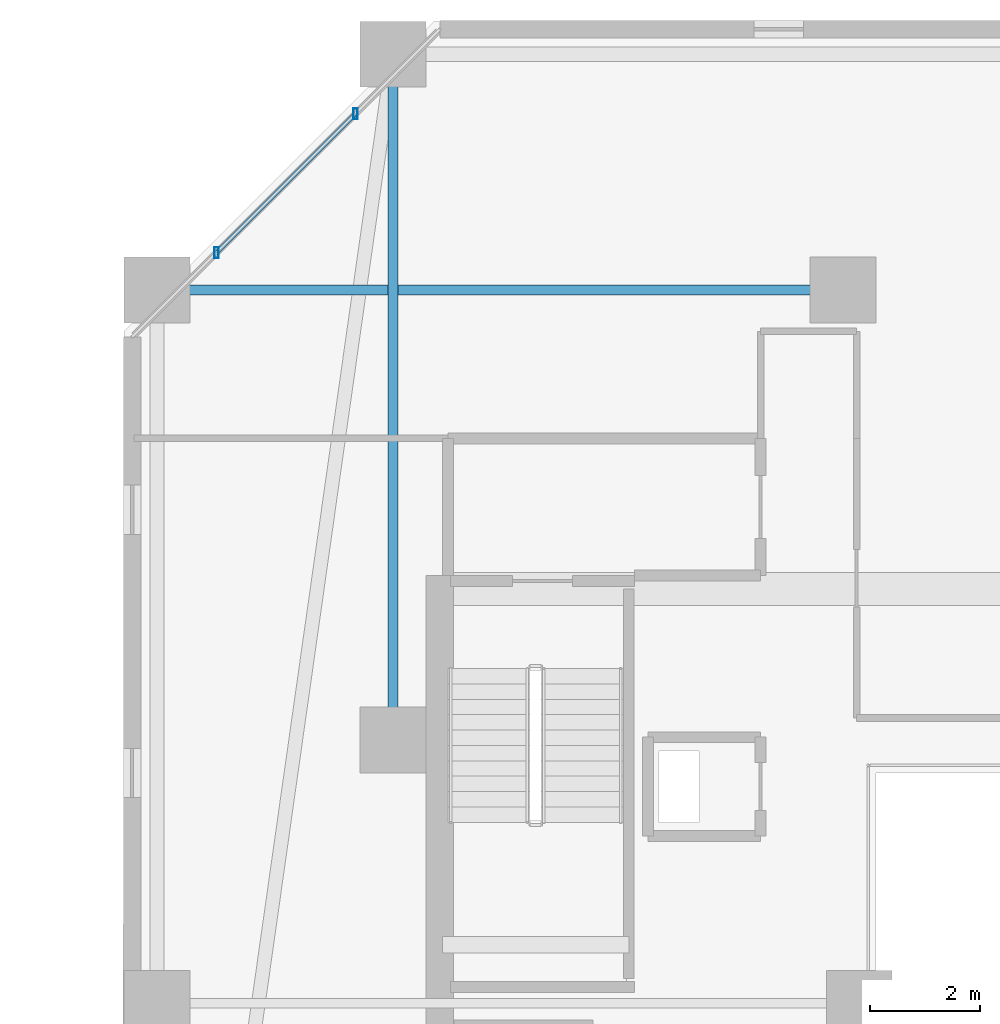
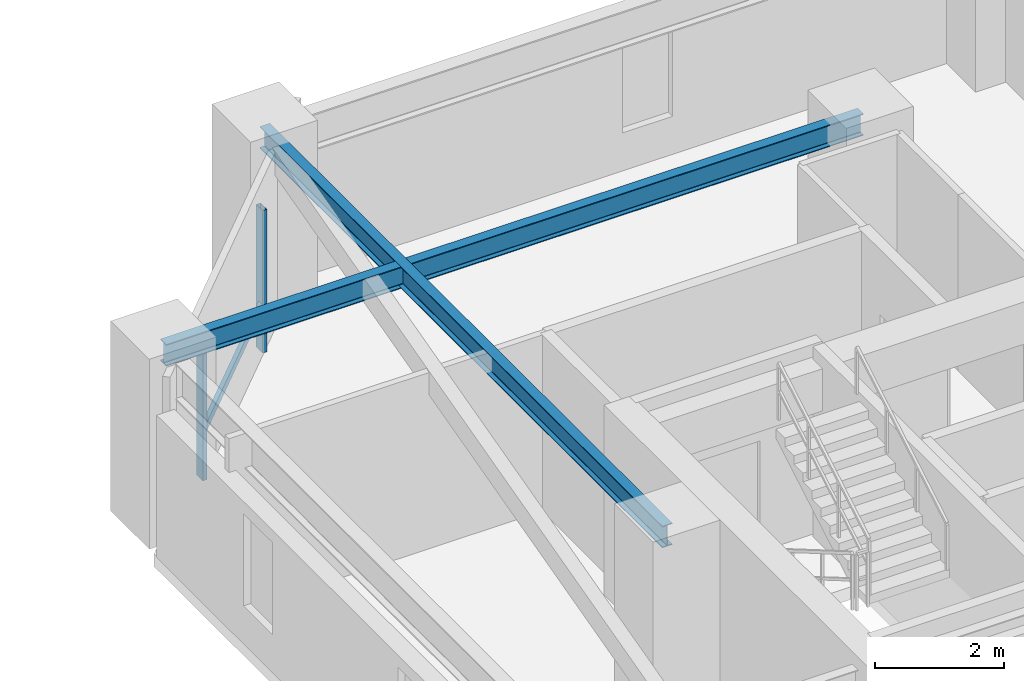
# One storey, part 14 of 31: 3 members, 2 beams, 1 element without a shape of its own.
"""IFC4 building model written with IfcOpenShell, lengths in metres."""

from ifc_helpers import new_model, si_unit, direction, frame, origin, origin_2d, place, context, subcontext, project, spatial, hollow_rectangle, i_section, extrude, material, material_profile, profile_set, type_object, element, aggregate, save


model = new_model("IFC4")

# Units and contexts
model_context = context("Model", 3, precision=1e-05, world=origin(), true_north=direction((0.0, 1.0)))
body_context = subcontext(model_context, "Body", "Model", "MODEL_VIEW")
ifc_project = project(units=[si_unit("LENGTHUNIT", "METRE"), si_unit("AREAUNIT", "SQUARE_METRE"), si_unit("VOLUMEUNIT", "CUBIC_METRE"), si_unit("PLANEANGLEUNIT", "RADIAN"), si_unit("MASSUNIT", "GRAM", prefix="KILO")], contexts=[model_context])

# Site, building, storey
site_placement = place(None, origin())
site = spatial("IfcSite", under=ifc_project, at=site_placement, CompositionType="ELEMENT")
building_placement = place(site_placement, origin())
building = spatial("IfcBuilding", under=site, at=building_placement, Name="Thornwick Lancets Civic Towers", CompositionType="ELEMENT")
storey_placement = place(building_placement, frame((0.0, 0.0, 126.89990234375)))
storey = spatial("IfcBuildingStorey", under=building, at=storey_placement, Name="L33", CompositionType="ELEMENT", Elevation=126.89990234375)

# Beams
ifc_material_1 = material(Name="Steel S355JR", Category="steel")
ifc_material_profile_1 = material_profile(ifc_material_1, i_section(OverallWidth=0.179443359375, OverallDepth=0.412841796875, WebThickness=0.009521484375, FlangeThickness=0.01611328125, FilletRadius=0.01025390625, at=origin_2d()), Name="UKB 406x178x74")
ifc_profile_set_1 = profile_set([ifc_material_profile_1], Name="Steel S355JR")
beam_type = type_object("IfcBeamType", Name="BM_JOIST_406_74", PredefinedType="JOIST", material=ifc_profile_set_1)
for number, where, z_axis, x_axis, name in (
    (1, (75.5, 31.800048828125, 3.15380859375), (0.0, 1.0, 0.0), (-1.0, 0.0, 0.0), "BM-RADIN-L33-B06"),
    (2, (83.699951171875, 40.0, 3.15380859375), (-1.0, 0.0, 0.0), (0.0, -1.0, 0.0), "BM-RADIN-L33-B09"),
):
    element("IfcBeam", number, at=place(storey_placement, frame(where, z_axis=z_axis, x_axis=x_axis)), inside=storey, type_object=beam_type, Name=name, PredefinedType="JOIST", context=body_context, shape_type="SweptSolid", body=[
        extrude(i_section(OverallWidth=0.179443359375, OverallDepth=0.412841796875, WebThickness=0.009521484375, FlangeThickness=0.01611328125, FilletRadius=0.01025390625, at=origin_2d()), origin(), (0.0, 0.0, 1.0), 12.5),
    ])

# Curtain wall, members
ifc_material_2 = material(Name="Mid-zone chamfered-corner unitised glass curtain wall", Category="glass")
curtain_wall_type = type_object("IfcCurtainWallType", Name="CW_SYS_04", PredefinedType="NOTDEFINED", material=ifc_material_2)
curtain_wall_placement = place(storey_placement, origin())
curtain_wall = element("IfcCurtainWall", 3, at=curtain_wall_placement, inside=storey, type_object=curtain_wall_type, Name="L33 Curtain Wall CW-L33-B-E5", PredefinedType="NOTDEFINED")
ifc_material_3 = material(Name="Thermally broken bronze aluminium S355", Category="steel")
ifc_material_profile_2 = material_profile(ifc_material_3, hollow_rectangle(XDim=0.080078125, YDim=0.199951171875, WallThickness=0.006103515625, at=origin_2d()), Name="RHS 200x80x6")
ifc_profile_set_2 = profile_set([ifc_material_profile_2], Name="Thermally broken bronze aluminium S355")
member_type_1 = type_object("IfcMemberType", Name="CW_MUL_200", PredefinedType="MULLION", material=ifc_profile_set_2)
member_1_placement = place(storey_placement, frame((74.81494140625, 43.21728515625, 0.0), z_axis=(0.0, 0.0, 1.0), x_axis=(1.0, 0.0, 0.0)))
member_1 = element("IfcMember", 4, at=member_1_placement, type_object=member_type_1, Name="CW-L33-B-E5 Mullion 0", PredefinedType="MULLION", context=body_context, shape_type="SweptSolid", body=[
    extrude(hollow_rectangle(XDim=0.080078125, YDim=0.199951171875, WallThickness=0.006103515625, at=origin_2d()), origin(), (0.0, 0.0, 1.0), 2.7001953125),
])
member_2_placement = place(storey_placement, frame((72.28271484375, 40.68505859375, 0.0), z_axis=(0.0, 0.0, 1.0), x_axis=(1.0, 0.0, 0.0)))
member_2 = element("IfcMember", 5, at=member_2_placement, type_object=member_type_1, Name="CW-L33-B-E5 Mullion 1", PredefinedType="MULLION", context=body_context, shape_type="SweptSolid", body=[
    extrude(hollow_rectangle(XDim=0.080078125, YDim=0.199951171875, WallThickness=0.006103515625, at=origin_2d()), origin(), (0.0, 0.0, 1.0), 2.7001953125),
])
ifc_material_profile_3 = material_profile(ifc_material_3, hollow_rectangle(XDim=0.074951171875, YDim=0.14990234375, WallThickness=0.0048828125, at=origin_2d()), Name="RHS 150x75x5")
ifc_profile_set_3 = profile_set([ifc_material_profile_3], Name="Thermally broken bronze aluminium S355")
member_type_2 = type_object("IfcMemberType", Name="CW_TRN_150", PredefinedType="USERDEFINED", material=ifc_profile_set_3)
member_3_placement = place(storey_placement, frame((74.80078125, 43.203125, 0.85009765625), z_axis=(-0.707106781187, -0.707106781187, 0.0), x_axis=(0.707106781187, -0.707106781187, 0.0)))
member_3 = element("IfcMember", 6, at=member_3_placement, type_object=member_type_2, Name="CW-L33-B-E5 Transom 0", ObjectType="TRANSOM", PredefinedType="USERDEFINED", context=body_context, shape_type="SweptSolid", body=[
    extrude(hollow_rectangle(XDim=0.074951171875, YDim=0.14990234375, WallThickness=0.0048828125, at=origin_2d()), origin(), (0.0, 0.0, 1.0), 3.541015625),
])
aggregate(curtain_wall, [member_1, member_2, member_3])

save(model, "model.ifc")
